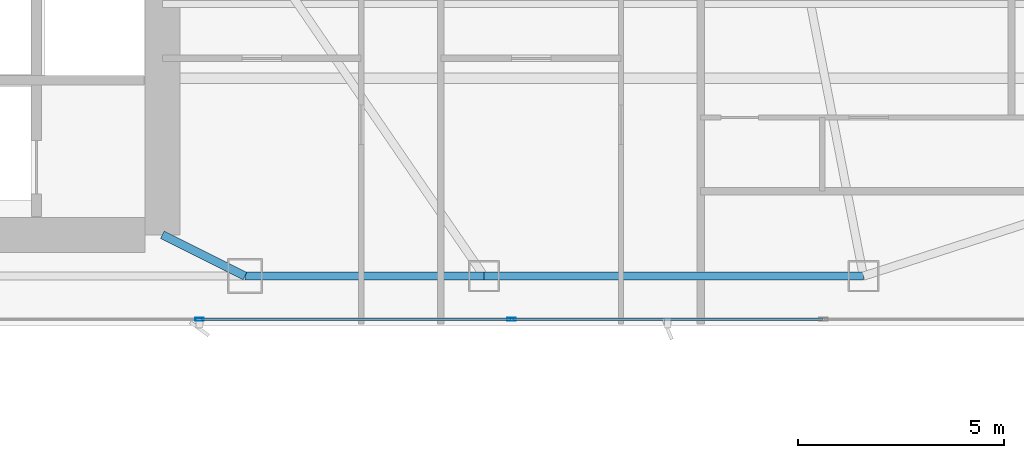
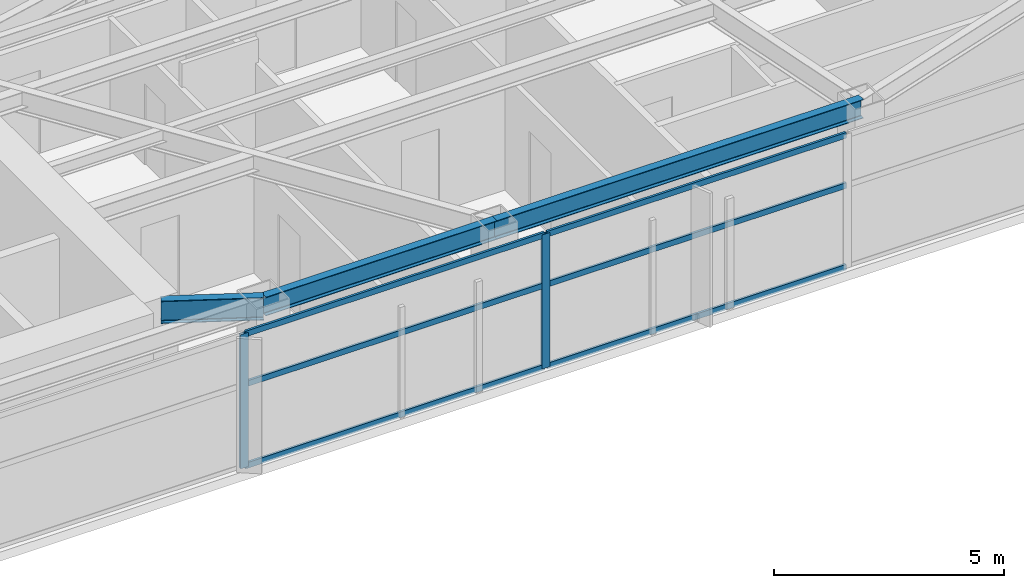
# One storey, part 12 of 29: 8 members, 3 beams, 1 element without a shape of its own.
"""IFC4 building model written with IfcOpenShell, lengths in metres."""

from ifc_helpers import new_model, si_unit, direction, frame, origin, origin_2d, place, context, subcontext, project, spatial, hollow_rectangle, i_section, extrude, material, layer, layer_set, material_profile, profile_set, type_object, element, aggregate, save


model = new_model("IFC4")

# Units and contexts
model_context = context("Model", 3, precision=1e-05, world=origin(), true_north=direction((0.0, 1.0)))
body_context = subcontext(model_context, "Body", "Model", "MODEL_VIEW")
ifc_project = project(units=[si_unit("LENGTHUNIT", "METRE"), si_unit("AREAUNIT", "SQUARE_METRE"), si_unit("VOLUMEUNIT", "CUBIC_METRE"), si_unit("PLANEANGLEUNIT", "RADIAN"), si_unit("MASSUNIT", "GRAM", prefix="KILO")], contexts=[model_context])

# Site, building, storey
site_placement = place(None, origin())
site = spatial("IfcSite", under=ifc_project, at=site_placement, CompositionType="ELEMENT")
building_placement = place(site_placement, origin())
building = spatial("IfcBuilding", under=site, at=building_placement, Name="Calvorn Quay Hotel", CompositionType="ELEMENT")
storey_placement = place(building_placement, frame((0.0, 0.0, 163.699951171875)))
storey = spatial("IfcBuildingStorey", under=building, at=storey_placement, Name="L40", CompositionType="ELEMENT", Elevation=163.699951171875)

# Beams
ifc_material_1 = material(Name="Steel Q355B", Category="steel")
ifc_material_profile_1 = material_profile(ifc_material_1, i_section(OverallWidth=0.199951171875, OverallDepth=0.60009765625, WebThickness=0.010986328125, FlangeThickness=0.01708984375, FilletRadius=0.01806640625, at=origin_2d()), Name="HN600x200x11x17")
ifc_profile_set_1 = profile_set([ifc_material_profile_1], Name="Steel Q355B")
beam_type_1 = type_object("IfcBeamType", Name="BM-GIRD-TYP", PredefinedType="BEAM", material=ifc_profile_set_1)
beam_1_placement = place(storey_placement, frame((34.39990234375, 3.60009765625, 3.239990234375), z_axis=(-0.894427191, 0.4472135955, 0.0), x_axis=(-0.4472135955, -0.894427191, 0.0)))
element("IfcBeam", 1, at=beam_1_placement, inside=storey, type_object=beam_type_1, Name="Beam BG-L40-S3", PredefinedType="BEAM", context=body_context, shape_type="SweptSolid", body=[
    extrude(i_section(OverallWidth=0.199951171875, OverallDepth=0.60009765625, WebThickness=0.010986328125, FlangeThickness=0.01708984375, FilletRadius=0.01806640625, at=origin_2d()), origin(), (0.0, 0.0, 1.0), 2.236083984375),
])
ifc_material_2 = material(Name="Steel Q355B", Category="steel")
ifc_material_profile_2 = material_profile(ifc_material_2, i_section(OverallWidth=0.199951171875, OverallDepth=0.5, WebThickness=0.010009765625, FlangeThickness=0.01611328125, FilletRadius=0.01611328125, at=origin_2d()), Name="HN500x200x10x16")
ifc_profile_set_2 = profile_set([ifc_material_profile_2], Name="Steel Q355B")
beam_type_2 = type_object("IfcBeamType", Name="BM-SPANDREL-Z1", PredefinedType="SPANDREL", material=ifc_profile_set_2)
beam_2_placement = place(storey_placement, frame((34.39990234375, 3.60009765625, 3.2900390625), z_axis=(1.0, 0.0, 0.0), x_axis=(0.0, 1.0, 0.0)))
element("IfcBeam", 2, at=beam_2_placement, inside=storey, type_object=beam_type_2, Name="Beam BSP-L40-S4", PredefinedType="SPANDREL", context=body_context, shape_type="SweptSolid", body=[
    extrude(i_section(OverallWidth=0.199951171875, OverallDepth=0.5, WebThickness=0.010009765625, FlangeThickness=0.01611328125, FilletRadius=0.01611328125, at=origin_2d()), origin(), (0.0, 0.0, 1.0), 5.800048828125),
])
beam_3_placement = place(storey_placement, frame((40.199951171875, 3.60009765625, 3.2900390625), z_axis=(1.0, 0.0, 0.0), x_axis=(0.0, 1.0, 0.0)))
element("IfcBeam", 3, at=beam_3_placement, inside=storey, type_object=beam_type_2, Name="Beam BSP-L40-S5", PredefinedType="SPANDREL", context=body_context, shape_type="SweptSolid", body=[
    extrude(i_section(OverallWidth=0.199951171875, OverallDepth=0.5, WebThickness=0.010009765625, FlangeThickness=0.01611328125, FilletRadius=0.01611328125, at=origin_2d()), origin(), (0.0, 0.0, 1.0), 9.199951171875),
])

# Curtain wall, members
ifc_material_3 = material(Name="Pale Anodised Aluminium and Low-E Glass", Category="aluminium")
ifc_layer = layer(ifc_material_3, 0.219970703125)
ifc_layer_set = layer_set([ifc_layer], Name="CW-SYS-Z2")
curtain_wall_type = type_object("IfcCurtainWallType", Name="CW-SYS-Z2", PredefinedType="NOTDEFINED", material=ifc_layer_set)
curtain_wall_placement = place(storey_placement, origin())
curtain_wall = element("IfcCurtainWall", 4, at=curtain_wall_placement, inside=storey, type_object=curtain_wall_type, Name="Tower South Waterfront Curtain Wall (L40)", PredefinedType="NOTDEFINED")
ifc_material_4 = material(Name="Pale Anodised Aluminium 6063-T6", Category="aluminium")
ifc_material_profile_3 = material_profile(ifc_material_4, hollow_rectangle(XDim=0.070068359375, YDim=0.199951171875, WallThickness=0.00390625, at=origin_2d()), Name="ALU-M200x70x4")
ifc_profile_set_3 = profile_set([ifc_material_profile_3], Name="Pale Anodised Aluminium 6063-T6")
member_type_1 = type_object("IfcMemberType", Name="CW-SYS-Z2-MUL", PredefinedType="MULLION", material=ifc_profile_set_3)
member_1_placement = place(storey_placement, frame((33.300048828125, 2.550048828125, 0.0), z_axis=(0.0, 0.0, 1.0), x_axis=(0.0, 1.0, 0.0)))
member_1 = element("IfcMember", 5, at=member_1_placement, type_object=member_type_1, Name="CW-L40-S mullion 4", PredefinedType="MULLION", context=body_context, shape_type="SweptSolid", body=[
    extrude(hollow_rectangle(XDim=0.070068359375, YDim=0.199951171875, WallThickness=0.00390625, at=origin_2d()), origin(), (0.0, 0.0, 1.0), 3.56005859375),
])
member_2_placement = place(storey_placement, frame((40.86669921875, 2.550048828125, 0.0), z_axis=(0.0, 0.0, 1.0), x_axis=(0.0, 1.0, 0.0)))
member_2 = element("IfcMember", 6, at=member_2_placement, type_object=member_type_1, Name="CW-L40-S mullion 5", PredefinedType="MULLION", context=body_context, shape_type="SweptSolid", body=[
    extrude(hollow_rectangle(XDim=0.070068359375, YDim=0.199951171875, WallThickness=0.00390625, at=origin_2d()), origin(), (0.0, 0.0, 1.0), 3.56005859375),
])
ifc_material_5 = material(Name="Pale Anodised Aluminium 6063-T6", Category="aluminium")
ifc_material_profile_4 = material_profile(ifc_material_5, hollow_rectangle(XDim=0.06005859375, YDim=0.14990234375, WallThickness=0.00341796875, at=origin_2d()), Name="ALU-T150x60x3.5")
ifc_profile_set_4 = profile_set([ifc_material_profile_4], Name="Pale Anodised Aluminium 6063-T6")
member_type_2 = type_object("IfcMemberType", Name="CW-SYS-Z2-TRN", PredefinedType="USERDEFINED", material=ifc_profile_set_4)
member_3_placement = place(storey_placement, frame((33.330078125, 2.550048828125, 0.030029296875), z_axis=(1.0, 0.0, 0.0), x_axis=(0.0, 1.0, 0.0)))
member_3 = element("IfcMember", 7, at=member_3_placement, type_object=member_type_2, Name="CW-L40-S transom 4.1", ObjectType="TRANSOM", PredefinedType="USERDEFINED", context=body_context, shape_type="SweptSolid", body=[
    extrude(hollow_rectangle(XDim=0.06005859375, YDim=0.14990234375, WallThickness=0.00341796875, at=origin_2d()), origin(), (0.0, 0.0, 1.0), 7.506591796875),
])
member_4_placement = place(storey_placement, frame((33.330078125, 2.550048828125, 2.199951171875), z_axis=(1.0, 0.0, 0.0), x_axis=(0.0, 1.0, 0.0)))
member_4 = element("IfcMember", 8, at=member_4_placement, type_object=member_type_2, Name="CW-L40-S transom 4.2", ObjectType="TRANSOM", PredefinedType="USERDEFINED", context=body_context, shape_type="SweptSolid", body=[
    extrude(hollow_rectangle(XDim=0.06005859375, YDim=0.14990234375, WallThickness=0.00341796875, at=origin_2d()), origin(), (0.0, 0.0, 1.0), 7.506591796875),
])
member_5_placement = place(storey_placement, frame((33.330078125, 2.550048828125, 3.530029296875), z_axis=(1.0, 0.0, 0.0), x_axis=(0.0, 1.0, 0.0)))
member_5 = element("IfcMember", 9, at=member_5_placement, type_object=member_type_2, Name="CW-L40-S transom 4.3", ObjectType="TRANSOM", PredefinedType="USERDEFINED", context=body_context, shape_type="SweptSolid", body=[
    extrude(hollow_rectangle(XDim=0.06005859375, YDim=0.14990234375, WallThickness=0.00341796875, at=origin_2d()), origin(), (0.0, 0.0, 1.0), 7.506591796875),
])
member_6_placement = place(storey_placement, frame((40.896728515625, 2.550048828125, 0.030029296875), z_axis=(1.0, 0.0, 0.0), x_axis=(0.0, 1.0, 0.0)))
member_6 = element("IfcMember", 10, at=member_6_placement, type_object=member_type_2, Name="CW-L40-S transom 5.1", ObjectType="TRANSOM", PredefinedType="USERDEFINED", context=body_context, shape_type="SweptSolid", body=[
    extrude(hollow_rectangle(XDim=0.06005859375, YDim=0.14990234375, WallThickness=0.00341796875, at=origin_2d()), origin(), (0.0, 0.0, 1.0), 7.506591796875),
])
member_7_placement = place(storey_placement, frame((40.896728515625, 2.550048828125, 2.199951171875), z_axis=(1.0, 0.0, 0.0), x_axis=(0.0, 1.0, 0.0)))
member_7 = element("IfcMember", 11, at=member_7_placement, type_object=member_type_2, Name="CW-L40-S transom 5.2", ObjectType="TRANSOM", PredefinedType="USERDEFINED", context=body_context, shape_type="SweptSolid", body=[
    extrude(hollow_rectangle(XDim=0.06005859375, YDim=0.14990234375, WallThickness=0.00341796875, at=origin_2d()), origin(), (0.0, 0.0, 1.0), 7.506591796875),
])
member_8_placement = place(storey_placement, frame((40.896728515625, 2.550048828125, 3.530029296875), z_axis=(1.0, 0.0, 0.0), x_axis=(0.0, 1.0, 0.0)))
member_8 = element("IfcMember", 12, at=member_8_placement, type_object=member_type_2, Name="CW-L40-S transom 5.3", ObjectType="TRANSOM", PredefinedType="USERDEFINED", context=body_context, shape_type="SweptSolid", body=[
    extrude(hollow_rectangle(XDim=0.06005859375, YDim=0.14990234375, WallThickness=0.00341796875, at=origin_2d()), origin(), (0.0, 0.0, 1.0), 7.506591796875),
])
aggregate(curtain_wall, [member_1, member_2, member_3, member_4, member_5, member_6, member_7, member_8])

save(model, "model.ifc")
